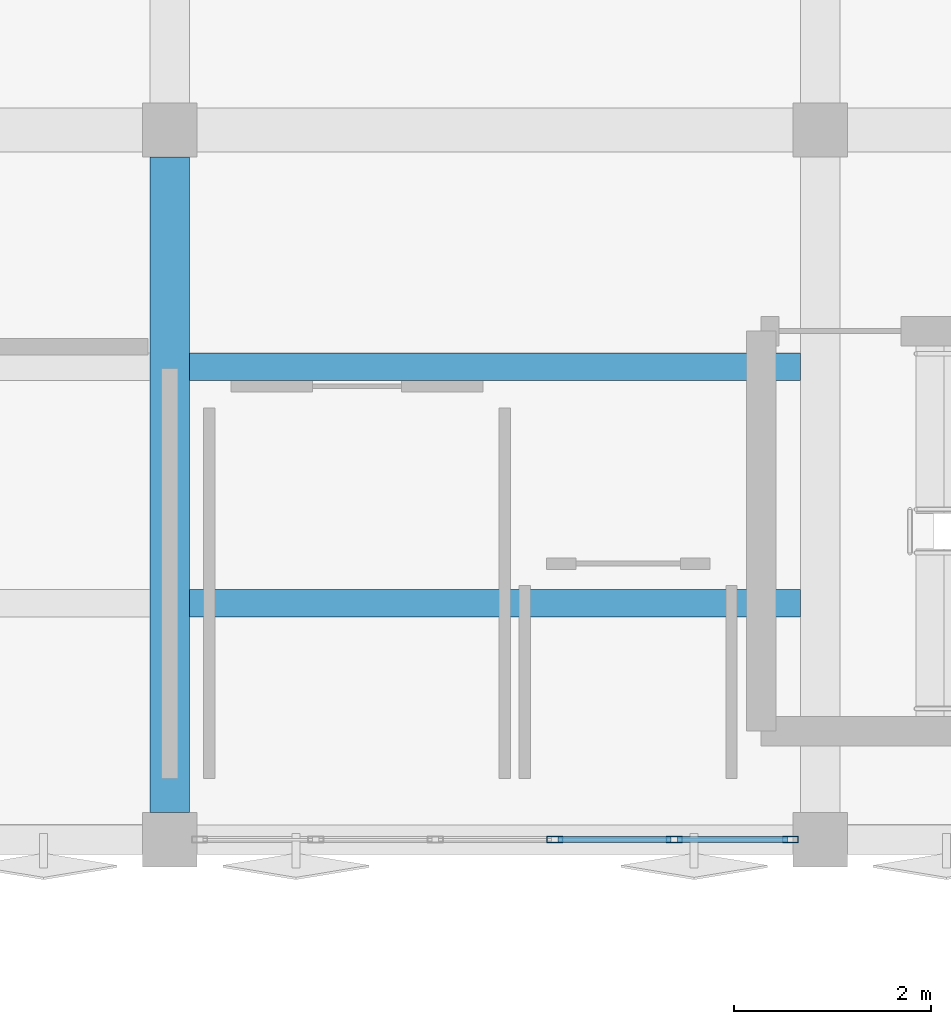
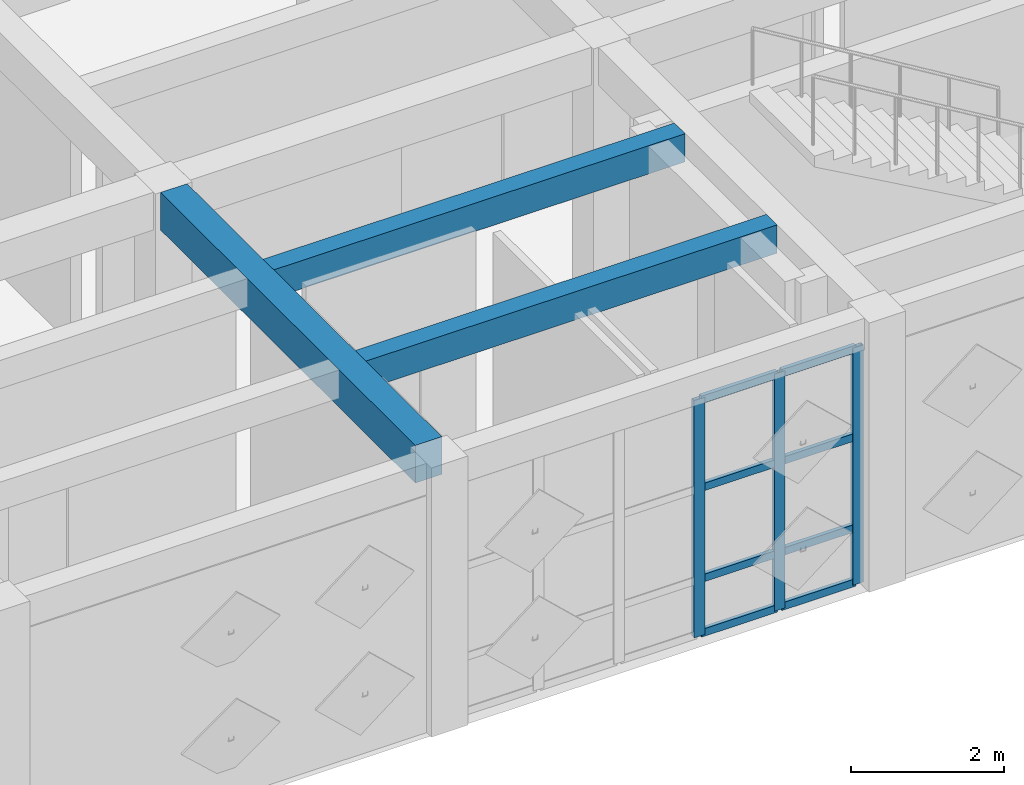
# One storey, part 14 of 39: 11 members, 3 beams, 1 element without a shape of its own.
"""IFC4 building model written with IfcOpenShell, lengths in metres."""

from ifc_helpers import new_model, si_unit, direction, frame, origin, origin_2d, place, context, subcontext, project, spatial, rectangle, hollow_rectangle, extrude, material, layer, layer_set, material_profile, profile_set, type_object, element, aggregate, save


model = new_model("IFC4")

# Units and contexts
model_context = context("Model", 3, precision=1e-05, world=origin(), true_north=direction((0.0, 1.0)))
body_context = subcontext(model_context, "Body", "Model", "MODEL_VIEW")
ifc_project = project(units=[si_unit("LENGTHUNIT", "METRE"), si_unit("AREAUNIT", "SQUARE_METRE"), si_unit("VOLUMEUNIT", "CUBIC_METRE"), si_unit("PLANEANGLEUNIT", "RADIAN"), si_unit("MASSUNIT", "GRAM", prefix="KILO")], contexts=[model_context])

# Site, building, storey
site_placement = place(None, origin())
site = spatial("IfcSite", under=ifc_project, at=site_placement, CompositionType="ELEMENT")
building_placement = place(site_placement, origin())
building = spatial("IfcBuilding", under=site, at=building_placement, Name="Kharisveld Research Institute", CompositionType="ELEMENT")
storey_placement = place(building_placement, frame((0.0, 0.0, 23.10009765625)))
storey = spatial("IfcBuildingStorey", under=building, at=storey_placement, Name="L05", CompositionType="ELEMENT", Elevation=23.10009765625)

# Beam
ifc_material_1 = material(Name="Concrete C40/50", Category="concrete")
ifc_material_profile_1 = material_profile(ifc_material_1, rectangle(XDim=0.39990234375, YDim=0.60009765625, at=origin_2d()))
ifc_profile_set_1 = profile_set([ifc_material_profile_1], Name="Concrete C40/50")
beam_type_1 = type_object("IfcBeamType", Name="BM_RC_400x600", PredefinedType="BEAM", material=ifc_profile_set_1)
beam_placement = place(storey_placement, frame((141.0, 39.47509765625, 3.989990234375), z_axis=(0.0, 1.0, 0.0), x_axis=(-1.0, 0.0, 0.0)))
element("IfcBeam", 1, at=beam_placement, inside=storey, type_object=beam_type_1, Name="BM:V2:L05:V4_0", PredefinedType="BEAM", context=body_context, shape_type="SweptSolid", body=[
    extrude(rectangle(XDim=0.39990234375, YDim=0.60009765625, at=origin_2d()), origin(), (0.0, 0.0, 1.0), 6.64990234375),
])

# Curtain wall, members
ifc_material_2 = material(Name="Thermally Broken Aluminium Curtain Wall", Category="aluminium")
ifc_layer = layer(ifc_material_2, 0.159912109375)
ifc_layer_set = layer_set([ifc_layer], Name="CW_SYS_01")
curtain_wall_type = type_object("IfcCurtainWallType", Name="CW_SYS_01", PredefinedType="NOTDEFINED", material=ifc_layer_set)
curtain_wall_placement = place(storey_placement, origin())
curtain_wall = element("IfcCurtainWall", 2, at=curtain_wall_placement, inside=storey, type_object=curtain_wall_type, Name="CW:V2:L05:S5", PredefinedType="NOTDEFINED")
ifc_material_3 = material(Name="Anodised Aluminium AW-6063-T6", Category="aluminium")
ifc_material_profile_2 = material_profile(ifc_material_3, hollow_rectangle(XDim=0.06494140625, YDim=0.159912109375, WallThickness=0.00390625, at=origin_2d()))
ifc_profile_set_2 = profile_set([ifc_material_profile_2], Name="Anodised Aluminium AW-6063-T6")
member_type_1 = type_object("IfcMemberType", Name="CW_MUL_160", PredefinedType="MULLION", material=ifc_profile_set_2)
member_1_placement = place(storey_placement, frame((147.297607421875, 39.199951171875, 0.0), z_axis=(0.0, 0.0, 1.0), x_axis=(0.0, -1.0, 0.0)))
member_1 = element("IfcMember", 3, at=member_1_placement, type_object=member_type_1, Name="CW-01 mullion 1", PredefinedType="MULLION", context=body_context, shape_type="SweptSolid", body=[
    extrude(hollow_rectangle(XDim=0.06494140625, YDim=0.159912109375, WallThickness=0.00390625, at=origin_2d()), origin(), (0.0, 0.0, 1.0), 3.77978515625),
])
member_2_placement = place(storey_placement, frame((146.117919921875, 39.199951171875, 0.0), z_axis=(0.0, 0.0, 1.0), x_axis=(0.0, -1.0, 0.0)))
member_2 = element("IfcMember", 4, at=member_2_placement, type_object=member_type_1, Name="CW-01 mullion 2", PredefinedType="MULLION", context=body_context, shape_type="SweptSolid", body=[
    extrude(hollow_rectangle(XDim=0.06494140625, YDim=0.159912109375, WallThickness=0.00390625, at=origin_2d()), origin(), (0.0, 0.0, 1.0), 3.77978515625),
])
member_3_placement = place(storey_placement, frame((144.906005859375, 39.199951171875, 0.0), z_axis=(0.0, 0.0, 1.0), x_axis=(0.0, -1.0, 0.0)))
member_3 = element("IfcMember", 5, at=member_3_placement, type_object=member_type_1, Name="CW-01 mullion 3", PredefinedType="MULLION", context=body_context, shape_type="SweptSolid", body=[
    extrude(hollow_rectangle(XDim=0.06494140625, YDim=0.159912109375, WallThickness=0.00390625, at=origin_2d()), origin(), (0.0, 0.0, 1.0), 3.77978515625),
])
ifc_material_4 = material(Name="Anodised Aluminium AW-6063-T6", Category="aluminium")
ifc_material_profile_3 = material_profile(ifc_material_4, hollow_rectangle(XDim=0.06005859375, YDim=0.1201171875, WallThickness=0.00390625, at=origin_2d()))
ifc_profile_set_3 = profile_set([ifc_material_profile_3], Name="Anodised Aluminium AW-6063-T6")
member_type_2 = type_object("IfcMemberType", Name="CW_TRN_120", PredefinedType="USERDEFINED", material=ifc_profile_set_3)
member_4_placement = place(storey_placement, frame((147.264892578125, 39.199951171875, 0.02978515625), z_axis=(-1.0, 0.0, 0.0), x_axis=(0.0, -1.0, 0.0)))
member_4 = element("IfcMember", 6, at=member_4_placement, type_object=member_type_2, Name="CW-01 transom 1.1", ObjectType="TRANSOM", PredefinedType="USERDEFINED", context=body_context, shape_type="SweptSolid", body=[
    extrude(hollow_rectangle(XDim=0.06005859375, YDim=0.1201171875, WallThickness=0.00390625, at=origin_2d()), origin(), (0.0, 0.0, 1.0), 1.114501953125),
])
member_5_placement = place(storey_placement, frame((147.264892578125, 39.199951171875, 0.89990234375), z_axis=(-1.0, 0.0, 0.0), x_axis=(0.0, -1.0, 0.0)))
member_5 = element("IfcMember", 7, at=member_5_placement, type_object=member_type_2, Name="CW-01 transom 1.2", ObjectType="TRANSOM", PredefinedType="USERDEFINED", context=body_context, shape_type="SweptSolid", body=[
    extrude(hollow_rectangle(XDim=0.06005859375, YDim=0.1201171875, WallThickness=0.00390625, at=origin_2d()), origin(), (0.0, 0.0, 1.0), 1.114501953125),
])
member_6_placement = place(storey_placement, frame((147.264892578125, 39.199951171875, 2.349853515625), z_axis=(-1.0, 0.0, 0.0), x_axis=(0.0, -1.0, 0.0)))
member_6 = element("IfcMember", 8, at=member_6_placement, type_object=member_type_2, Name="CW-01 transom 1.3", ObjectType="TRANSOM", PredefinedType="USERDEFINED", context=body_context, shape_type="SweptSolid", body=[
    extrude(hollow_rectangle(XDim=0.06005859375, YDim=0.1201171875, WallThickness=0.00390625, at=origin_2d()), origin(), (0.0, 0.0, 1.0), 1.114501953125),
])
member_7_placement = place(storey_placement, frame((147.264892578125, 39.199951171875, 3.75), z_axis=(-1.0, 0.0, 0.0), x_axis=(0.0, -1.0, 0.0)))
member_7 = element("IfcMember", 9, at=member_7_placement, type_object=member_type_2, Name="CW-01 transom 1.4", ObjectType="TRANSOM", PredefinedType="USERDEFINED", context=body_context, shape_type="SweptSolid", body=[
    extrude(hollow_rectangle(XDim=0.06005859375, YDim=0.1201171875, WallThickness=0.00390625, at=origin_2d()), origin(), (0.0, 0.0, 1.0), 1.114501953125),
])
member_8_placement = place(storey_placement, frame((146.08544921875, 39.199951171875, 0.02978515625), z_axis=(-1.0, 0.0, 0.0), x_axis=(0.0, -1.0, 0.0)))
member_8 = element("IfcMember", 10, at=member_8_placement, type_object=member_type_2, Name="CW-01 transom 2.1", ObjectType="TRANSOM", PredefinedType="USERDEFINED", context=body_context, shape_type="SweptSolid", body=[
    extrude(hollow_rectangle(XDim=0.06005859375, YDim=0.1201171875, WallThickness=0.00390625, at=origin_2d()), origin(), (0.0, 0.0, 1.0), 1.14697265625),
])
member_9_placement = place(storey_placement, frame((146.08544921875, 39.199951171875, 0.89990234375), z_axis=(-1.0, 0.0, 0.0), x_axis=(0.0, -1.0, 0.0)))
member_9 = element("IfcMember", 11, at=member_9_placement, type_object=member_type_2, Name="CW-01 transom 2.2", ObjectType="TRANSOM", PredefinedType="USERDEFINED", context=body_context, shape_type="SweptSolid", body=[
    extrude(hollow_rectangle(XDim=0.06005859375, YDim=0.1201171875, WallThickness=0.00390625, at=origin_2d()), origin(), (0.0, 0.0, 1.0), 1.14697265625),
])
member_10_placement = place(storey_placement, frame((146.08544921875, 39.199951171875, 2.349853515625), z_axis=(-1.0, 0.0, 0.0), x_axis=(0.0, -1.0, 0.0)))
member_10 = element("IfcMember", 12, at=member_10_placement, type_object=member_type_2, Name="CW-01 transom 2.3", ObjectType="TRANSOM", PredefinedType="USERDEFINED", context=body_context, shape_type="SweptSolid", body=[
    extrude(hollow_rectangle(XDim=0.06005859375, YDim=0.1201171875, WallThickness=0.00390625, at=origin_2d()), origin(), (0.0, 0.0, 1.0), 1.14697265625),
])
member_11_placement = place(storey_placement, frame((146.08544921875, 39.199951171875, 3.75), z_axis=(-1.0, 0.0, 0.0), x_axis=(0.0, -1.0, 0.0)))
member_11 = element("IfcMember", 13, at=member_11_placement, type_object=member_type_2, Name="CW-01 transom 2.4", ObjectType="TRANSOM", PredefinedType="USERDEFINED", context=body_context, shape_type="SweptSolid", body=[
    extrude(hollow_rectangle(XDim=0.06005859375, YDim=0.1201171875, WallThickness=0.00390625, at=origin_2d()), origin(), (0.0, 0.0, 1.0), 1.14697265625),
])
aggregate(curtain_wall, [member_1, member_2, member_3, member_4, member_5, member_6, member_7, member_8, member_9, member_10, member_11])

# Beams
ifc_material_5 = material(Name="Concrete C40/50", Category="concrete")
ifc_material_profile_4 = material_profile(ifc_material_5, rectangle(XDim=0.280029296875, YDim=0.449951171875, at=origin_2d()))
ifc_profile_set_4 = profile_set([ifc_material_profile_4], Name="Concrete C40/50")
beam_type_2 = type_object("IfcBeamType", Name="WB_RC_280x450", PredefinedType="JOIST", material=ifc_profile_set_4)
for number, where, z_axis, x_axis, name in (
    (14, (141.199951171875, 41.60009765625, 4.06494140625), (1.0, 0.0, 0.0), (0.0, 1.0, 0.0), "BM:V2:L05:J_4_0_R1"),
    (15, (141.199951171875, 44.0, 4.06494140625), (1.0, 0.0, 0.0), (0.0, 1.0, 0.0), "BM:V2:L05:J_4_0_R2"),
):
    element("IfcBeam", number, at=place(storey_placement, frame(where, z_axis=z_axis, x_axis=x_axis)), inside=storey, type_object=beam_type_2, Name=name, PredefinedType="JOIST", context=body_context, shape_type="SweptSolid", body=[
        extrude(rectangle(XDim=0.280029296875, YDim=0.449951171875, at=origin_2d()), origin(), (0.0, 0.0, 1.0), 6.199951171875),
    ])

save(model, "model.ifc")
